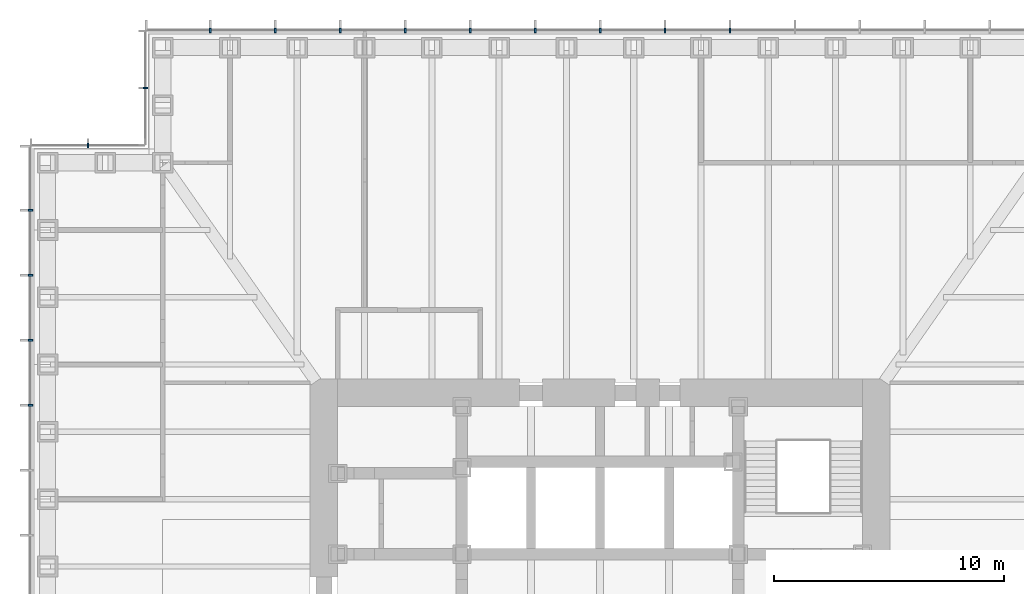
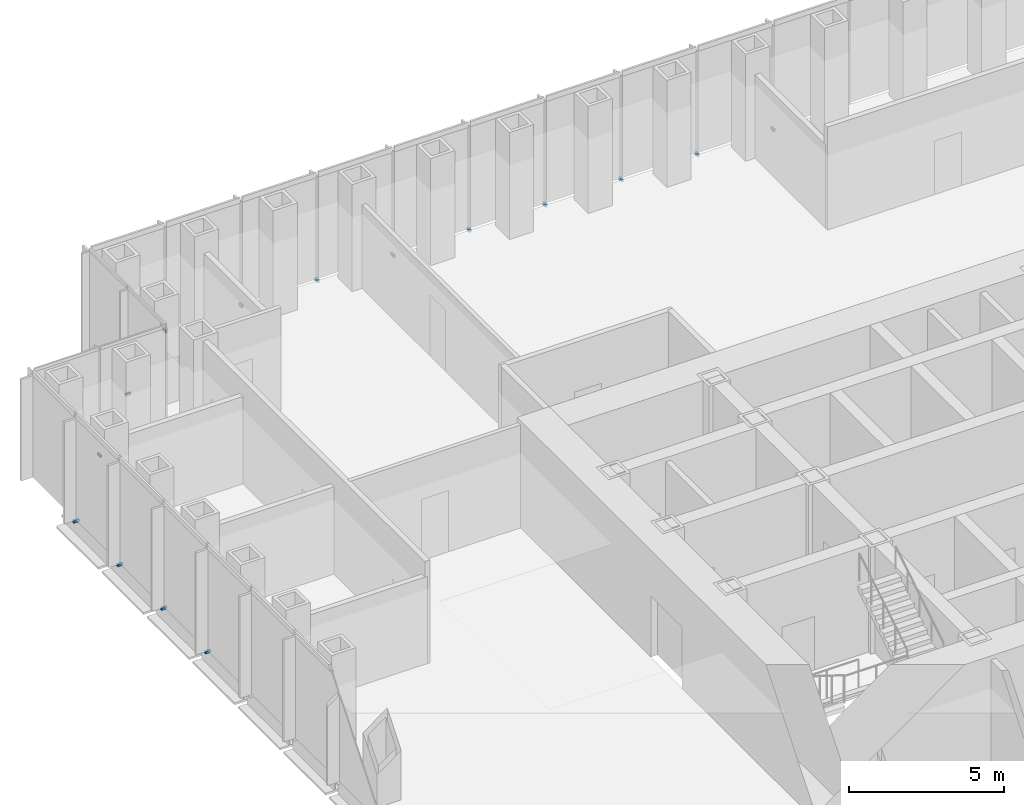
# One storey, part 15 of 17: 15 discrete accessories.
"""IFC4 building model written with IfcOpenShell, lengths in metres."""

from ifc_helpers import new_model, si_unit, direction, frame, origin, origin_2d, place, context, subcontext, project, spatial, rectangle, extrude, element, save


model = new_model("IFC4")

# Units and contexts
model_context = context("Model", 3, precision=1e-05, world=origin(), true_north=direction((0.0, 1.0)))
body_context = subcontext(model_context, "Body", "Model", "MODEL_VIEW")
ifc_project = project(units=[si_unit("LENGTHUNIT", "METRE"), si_unit("AREAUNIT", "SQUARE_METRE"), si_unit("VOLUMEUNIT", "CUBIC_METRE"), si_unit("PLANEANGLEUNIT", "RADIAN"), si_unit("MASSUNIT", "GRAM", prefix="KILO")], contexts=[model_context])

# Site, building, storey
site_placement = place(None, origin())
site = spatial("IfcSite", under=ifc_project, at=site_placement, CompositionType="ELEMENT")
building_placement = place(site_placement, origin())
building = spatial("IfcBuilding", under=site, at=building_placement, Name="Daluyong Arena Tower", CompositionType="ELEMENT")
storey_placement = place(building_placement, frame((0.0, 0.0, 85.300048828125)))
storey = spatial("IfcBuildingStorey", under=building, at=storey_placement, Name="L18", CompositionType="ELEMENT", Elevation=85.300048828125)

# Discrete accessories
for number, where, z_axis, x_axis, name in (
    (1, (61.642822265625, 104.75, -0.10009765625), (0.0, 0.0, 1.0), (-1.0, 0.0, 0.0), "curtain wall L18 N anchor bracket 6"),
    (2, (58.821533203125, 104.75, -0.10009765625), (0.0, 0.0, 1.0), (-1.0, 0.0, 0.0), "curtain wall L18 N anchor bracket 7"),
    (3, (56.0, 104.75, -0.10009765625), (0.0, 0.0, 1.0), (-1.0, 0.0, 0.0), "curtain wall L18 N anchor bracket 8"),
    (4, (53.178466796875, 104.75, -0.10009765625), (0.0, 0.0, 1.0), (-1.0, 0.0, 0.0), "curtain wall L18 N anchor bracket 9"),
    (5, (50.357177734375, 104.75, -0.10009765625), (0.0, 0.0, 1.0), (-1.0, 0.0, 0.0), "curtain wall L18 N anchor bracket 10"),
    (6, (47.53564453125, 104.75, -0.10009765625), (0.0, 0.0, 1.0), (-1.0, 0.0, 0.0), "curtain wall L18 N anchor bracket 11"),
    (7, (44.71435546875, 104.75, -0.10009765625), (0.0, 0.0, 1.0), (-1.0, 0.0, 0.0), "curtain wall L18 N anchor bracket 12"),
    (8, (41.892822265625, 104.75, -0.10009765625), (0.0, 0.0, 1.0), (-1.0, 0.0, 0.0), "curtain wall L18 N anchor bracket 13"),
    (9, (39.071533203125, 104.75, -0.10009765625), (0.0, 0.0, 1.0), (-1.0, 0.0, 0.0), "curtain wall L18 N anchor bracket 14"),
):
    element("IfcDiscreteAccessory", number, at=place(storey_placement, frame(where, z_axis=z_axis, x_axis=x_axis)), inside=storey, Name=name, PredefinedType="BRACKET", context=body_context, shape_type="SweptSolid", body=[
        extrude(rectangle(XDim=0.080078125, YDim=0.199951171875, at=origin_2d()), origin(), (0.0, 0.0, 1.0), 0.10009765625),
    ])
for number, where, z_axis, x_axis, name in (
    (10, (36.25, 102.25, -0.10009765625), (0.0, 0.0, 1.0), (0.0, -1.0, 0.0), "curtain wall L18 NW-W anchor bracket 2"),
    (11, (33.75, 99.75, -0.10009765625), (0.0, 0.0, 1.0), (-1.0, 0.0, 0.0), "curtain wall L18 NW-N anchor bracket 2"),
):
    element("IfcDiscreteAccessory", number, at=place(storey_placement, frame(where, z_axis=z_axis, x_axis=x_axis)), inside=storey, Name=name, PredefinedType="BRACKET", context=body_context, shape_type="SweptSolid", body=[
        extrude(rectangle(XDim=0.06005859375, YDim=0.199951171875, at=origin_2d()), origin(), (0.0, 0.0, 1.0), 0.10009765625),
    ])
for number, where, z_axis, x_axis, name in (
    (12, (31.25, 96.928466796875, -0.10009765625), (0.0, 0.0, 1.0), (0.0, -1.0, 0.0), "curtain wall L18 W anchor bracket 2"),
    (13, (31.25, 94.107177734375, -0.10009765625), (0.0, 0.0, 1.0), (0.0, -1.0, 0.0), "curtain wall L18 W anchor bracket 3"),
    (14, (31.25, 91.28564453125, -0.10009765625), (0.0, 0.0, 1.0), (0.0, -1.0, 0.0), "curtain wall L18 W anchor bracket 4"),
    (15, (31.25, 88.46435546875, -0.10009765625), (0.0, 0.0, 1.0), (0.0, -1.0, 0.0), "curtain wall L18 W anchor bracket 5"),
):
    element("IfcDiscreteAccessory", number, at=place(storey_placement, frame(where, z_axis=z_axis, x_axis=x_axis)), inside=storey, Name=name, PredefinedType="BRACKET", context=body_context, shape_type="SweptSolid", body=[
        extrude(rectangle(XDim=0.080078125, YDim=0.199951171875, at=origin_2d()), origin(), (0.0, 0.0, 1.0), 0.10009765625),
    ])

save(model, "model.ifc")
